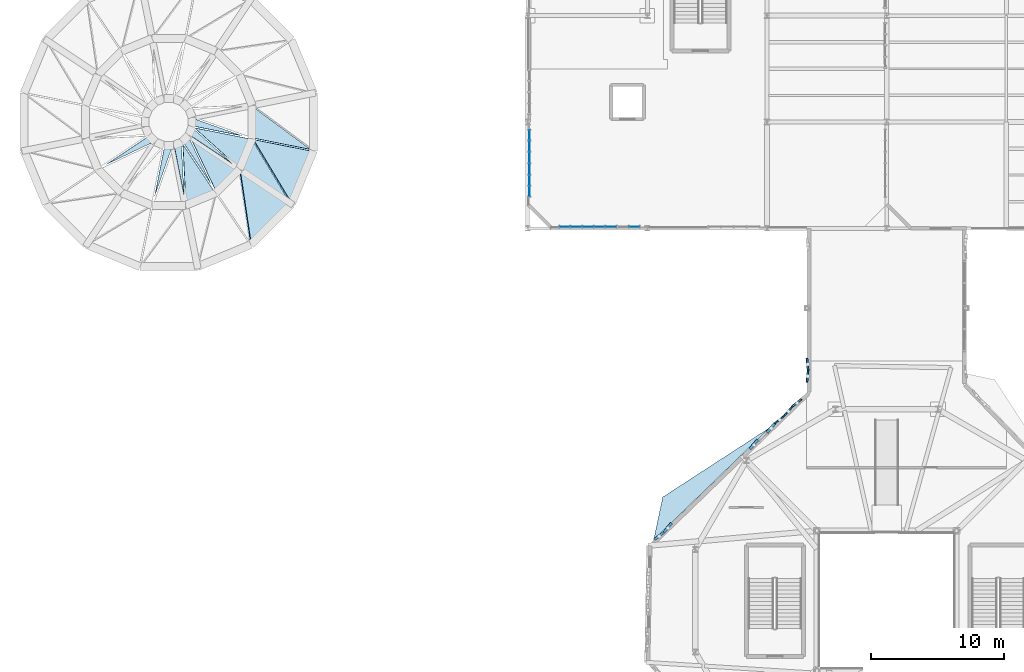
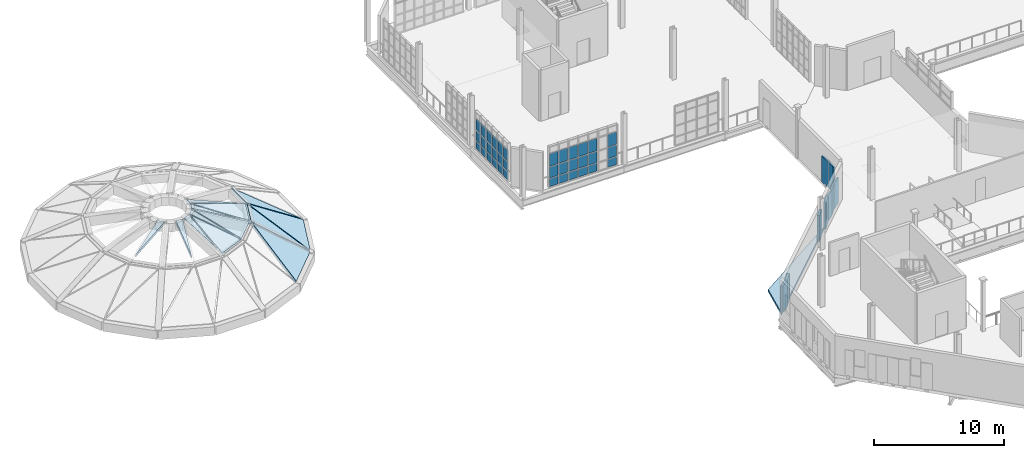
# One storey, part 67 of 85: 45 plates, 14 slabs, 2 elements without a shape of their own.
"""IFC4 building model written with IfcOpenShell, lengths in metres."""

from ifc_helpers import new_model, si_unit, direction, frame, frame_2d, origin, origin_2d, place, context, subcontext, project, spatial, polyline, rectangle, outline, extrude, material, layer, layer_set, type_object, element, aggregate, save


model = new_model("IFC4")

# Units and contexts
model_context = context("Model", 3, precision=1e-05, world=origin(), true_north=direction((0.0, 1.0)))
body_context = subcontext(model_context, "Body", "Model", "MODEL_VIEW")
ifc_project = project(units=[si_unit("LENGTHUNIT", "METRE"), si_unit("AREAUNIT", "SQUARE_METRE"), si_unit("VOLUMEUNIT", "CUBIC_METRE"), si_unit("PLANEANGLEUNIT", "RADIAN"), si_unit("MASSUNIT", "GRAM", prefix="KILO"), si_unit("THERMODYNAMICTEMPERATUREUNIT", "KELVIN"), si_unit("POWERUNIT", "WATT")], contexts=[model_context])

# Site, building, storey
site_placement = place(None, origin())
site = spatial("IfcSite", under=ifc_project, at=site_placement, CompositionType="ELEMENT")
building_placement = place(site_placement, origin())
building = spatial("IfcBuilding", under=site, at=building_placement, Name="Zelmaris Science Centre", CompositionType="ELEMENT")
storey_placement = place(building_placement, frame((0.0, 0.0, 20.39990234375)))
storey = spatial("IfcBuildingStorey", under=building, at=storey_placement, Name="L04", CompositionType="ELEMENT", Elevation=20.39990234375)

# Curtain wall, plates
ifc_material_1 = material(Name="Anodised architectural aluminium 6063-T6", Category="aluminium")
ifc_layer_1 = layer(ifc_material_1, 0.18994140625, Name="Anodised architectural aluminium 6063-T6")
ifc_layer_set_1 = layer_set([ifc_layer_1], Name="Anodised architectural aluminium 6063-T6")
curtain_wall_type = type_object("IfcCurtainWallType", Name="Curtain Wall CW-01", PredefinedType="USERDEFINED", material=ifc_layer_set_1)
curtain_wall_1_placement = place(storey_placement, origin())
curtain_wall_1 = element("IfcCurtainWall", 1, at=curtain_wall_1_placement, inside=storey, type_object=curtain_wall_type, Name="L04 Unitised curtain wall 337", ObjectType="GLAZED CURTAIN WALL", PredefinedType="USERDEFINED")
ifc_material_2 = material(Name="Laminated hurricane-rated low-E insulated glazing", Category="glass")
ifc_layer_2 = layer(ifc_material_2, 0.031982421875, Name="Laminated hurricane-rated low-E insulated glazing")
ifc_layer_set_2 = layer_set([ifc_layer_2], Name="Laminated hurricane-rated low-E insulated glazing")
plate_type_1 = type_object("IfcPlateType", Name="Curtain Glazing Panel CWP-1 32mm", PredefinedType="CURTAIN_PANEL", material=ifc_layer_set_2)
plate_1_placement = place(storey_placement, frame((54.1201171875, 66.78466796875, 0.05712890625), z_axis=(0.0, 0.0, 1.0), x_axis=(0.0, 1.0, 0.0)))
plate_1 = element("IfcPlate", 2, at=plate_1_placement, type_object=plate_type_1, Name="CW-01 panel 1.1", PredefinedType="CURTAIN_PANEL", context=body_context, shape_type="SweptSolid", body=[
    extrude(rectangle(XDim=0.745361328125, YDim=0.031982421875, at=origin_2d()), origin(), (0.0, 0.0, 1.0), 0.741943359375),
])
plate_2_placement = place(storey_placement, frame((54.1201171875, 66.78466796875, 0.87109375), z_axis=(0.0, 0.0, 1.0), x_axis=(0.0, 1.0, 0.0)))
plate_2 = element("IfcPlate", 3, at=plate_2_placement, type_object=plate_type_1, Name="CW-01 panel 1.2", PredefinedType="CURTAIN_PANEL", context=body_context, shape_type="SweptSolid", body=[
    extrude(rectangle(XDim=0.745361328125, YDim=0.031982421875, at=origin_2d()), origin(), (0.0, 0.0, 1.0), 0.886962890625),
])
plate_3_placement = place(storey_placement, frame((54.1201171875, 66.78466796875, 1.830078125), z_axis=(0.0, 0.0, 1.0), x_axis=(0.0, 1.0, 0.0)))
plate_3 = element("IfcPlate", 4, at=plate_3_placement, type_object=plate_type_1, Name="CW-01 panel 1.3", PredefinedType="CURTAIN_PANEL", context=body_context, shape_type="SweptSolid", body=[
    extrude(rectangle(XDim=0.745361328125, YDim=0.031982421875, at=origin_2d()), origin(), (0.0, 0.0, 1.0), 1.037109375),
])
plate_4_placement = place(storey_placement, frame((54.1201171875, 67.6201171875, 0.05712890625), z_axis=(0.0, 0.0, 1.0), x_axis=(0.0, 1.0, 0.0)))
plate_4 = element("IfcPlate", 5, at=plate_4_placement, type_object=plate_type_1, Name="CW-01 panel 2.1", PredefinedType="CURTAIN_PANEL", context=body_context, shape_type="SweptSolid", body=[
    extrude(rectangle(XDim=0.78125, YDim=0.031982421875, at=origin_2d()), origin(), (0.0, 0.0, 1.0), 0.741943359375),
])
plate_5_placement = place(storey_placement, frame((54.1201171875, 67.6201171875, 0.87109375), z_axis=(0.0, 0.0, 1.0), x_axis=(0.0, 1.0, 0.0)))
plate_5 = element("IfcPlate", 6, at=plate_5_placement, type_object=plate_type_1, Name="CW-01 panel 2.2", PredefinedType="CURTAIN_PANEL", context=body_context, shape_type="SweptSolid", body=[
    extrude(rectangle(XDim=0.78125, YDim=0.031982421875, at=origin_2d()), origin(), (0.0, 0.0, 1.0), 0.886962890625),
])
plate_6_placement = place(storey_placement, frame((54.1201171875, 67.6201171875, 1.830078125), z_axis=(0.0, 0.0, 1.0), x_axis=(0.0, 1.0, 0.0)))
plate_6 = element("IfcPlate", 7, at=plate_6_placement, type_object=plate_type_1, Name="CW-01 panel 2.3", PredefinedType="CURTAIN_PANEL", context=body_context, shape_type="SweptSolid", body=[
    extrude(rectangle(XDim=0.78125, YDim=0.031982421875, at=origin_2d()), origin(), (0.0, 0.0, 1.0), 1.037109375),
])
plate_7_placement = place(storey_placement, frame((54.1201171875, 68.473388671875, 0.05712890625), z_axis=(0.0, 0.0, 1.0), x_axis=(0.0, 1.0, 0.0)))
plate_7 = element("IfcPlate", 8, at=plate_7_placement, type_object=plate_type_1, Name="CW-01 panel 3.1", PredefinedType="CURTAIN_PANEL", context=body_context, shape_type="SweptSolid", body=[
    extrude(rectangle(XDim=0.78125, YDim=0.031982421875, at=origin_2d()), origin(), (0.0, 0.0, 1.0), 0.741943359375),
])
plate_8_placement = place(storey_placement, frame((54.1201171875, 68.473388671875, 0.87109375), z_axis=(0.0, 0.0, 1.0), x_axis=(0.0, 1.0, 0.0)))
plate_8 = element("IfcPlate", 9, at=plate_8_placement, type_object=plate_type_1, Name="CW-01 panel 3.2", PredefinedType="CURTAIN_PANEL", context=body_context, shape_type="SweptSolid", body=[
    extrude(rectangle(XDim=0.78125, YDim=0.031982421875, at=origin_2d()), origin(), (0.0, 0.0, 1.0), 0.886962890625),
])
plate_9_placement = place(storey_placement, frame((54.1201171875, 68.473388671875, 1.830078125), z_axis=(0.0, 0.0, 1.0), x_axis=(0.0, 1.0, 0.0)))
plate_9 = element("IfcPlate", 10, at=plate_9_placement, type_object=plate_type_1, Name="CW-01 panel 3.3", PredefinedType="CURTAIN_PANEL", context=body_context, shape_type="SweptSolid", body=[
    extrude(rectangle(XDim=0.78125, YDim=0.031982421875, at=origin_2d()), origin(), (0.0, 0.0, 1.0), 1.037109375),
])
plate_10_placement = place(storey_placement, frame((54.1201171875, 69.32666015625, 0.05712890625), z_axis=(0.0, 0.0, 1.0), x_axis=(0.0, 1.0, 0.0)))
plate_10 = element("IfcPlate", 11, at=plate_10_placement, type_object=plate_type_1, Name="CW-01 panel 4.1", PredefinedType="CURTAIN_PANEL", context=body_context, shape_type="SweptSolid", body=[
    extrude(rectangle(XDim=0.78125, YDim=0.031982421875, at=origin_2d()), origin(), (0.0, 0.0, 1.0), 0.741943359375),
])
plate_11_placement = place(storey_placement, frame((54.1201171875, 69.32666015625, 0.87109375), z_axis=(0.0, 0.0, 1.0), x_axis=(0.0, 1.0, 0.0)))
plate_11 = element("IfcPlate", 12, at=plate_11_placement, type_object=plate_type_1, Name="CW-01 panel 4.2", PredefinedType="CURTAIN_PANEL", context=body_context, shape_type="SweptSolid", body=[
    extrude(rectangle(XDim=0.78125, YDim=0.031982421875, at=origin_2d()), origin(), (0.0, 0.0, 1.0), 0.886962890625),
])
plate_12_placement = place(storey_placement, frame((54.1201171875, 69.32666015625, 1.830078125), z_axis=(0.0, 0.0, 1.0), x_axis=(0.0, 1.0, 0.0)))
plate_12 = element("IfcPlate", 13, at=plate_12_placement, type_object=plate_type_1, Name="CW-01 panel 4.3", PredefinedType="CURTAIN_PANEL", context=body_context, shape_type="SweptSolid", body=[
    extrude(rectangle(XDim=0.78125, YDim=0.031982421875, at=origin_2d()), origin(), (0.0, 0.0, 1.0), 1.037109375),
])
plate_13_placement = place(storey_placement, frame((54.1201171875, 70.179931640625, 0.05712890625), z_axis=(0.0, 0.0, 1.0), x_axis=(0.0, 1.0, 0.0)))
plate_13 = element("IfcPlate", 14, at=plate_13_placement, type_object=plate_type_1, Name="CW-01 panel 5.1", PredefinedType="CURTAIN_PANEL", context=body_context, shape_type="SweptSolid", body=[
    extrude(rectangle(XDim=0.78125, YDim=0.031982421875, at=origin_2d()), origin(), (0.0, 0.0, 1.0), 0.741943359375),
])
plate_14_placement = place(storey_placement, frame((54.1201171875, 70.179931640625, 0.87109375), z_axis=(0.0, 0.0, 1.0), x_axis=(0.0, 1.0, 0.0)))
plate_14 = element("IfcPlate", 15, at=plate_14_placement, type_object=plate_type_1, Name="CW-01 panel 5.2", PredefinedType="CURTAIN_PANEL", context=body_context, shape_type="SweptSolid", body=[
    extrude(rectangle(XDim=0.78125, YDim=0.031982421875, at=origin_2d()), origin(), (0.0, 0.0, 1.0), 0.886962890625),
])
plate_15_placement = place(storey_placement, frame((54.1201171875, 70.179931640625, 1.830078125), z_axis=(0.0, 0.0, 1.0), x_axis=(0.0, 1.0, 0.0)))
plate_15 = element("IfcPlate", 16, at=plate_15_placement, type_object=plate_type_1, Name="CW-01 panel 5.3", PredefinedType="CURTAIN_PANEL", context=body_context, shape_type="SweptSolid", body=[
    extrude(rectangle(XDim=0.78125, YDim=0.031982421875, at=origin_2d()), origin(), (0.0, 0.0, 1.0), 1.037109375),
])
plate_16_placement = place(storey_placement, frame((54.1201171875, 71.015380859375, 0.05712890625), z_axis=(0.0, 0.0, 1.0), x_axis=(0.0, 1.0, 0.0)))
plate_16 = element("IfcPlate", 17, at=plate_16_placement, type_object=plate_type_1, Name="CW-01 panel 6.1", PredefinedType="CURTAIN_PANEL", context=body_context, shape_type="SweptSolid", body=[
    extrude(rectangle(XDim=0.745361328125, YDim=0.031982421875, at=origin_2d()), origin(), (0.0, 0.0, 1.0), 0.741943359375),
])
plate_17_placement = place(storey_placement, frame((54.1201171875, 71.015380859375, 0.87109375), z_axis=(0.0, 0.0, 1.0), x_axis=(0.0, 1.0, 0.0)))
plate_17 = element("IfcPlate", 18, at=plate_17_placement, type_object=plate_type_1, Name="CW-01 panel 6.2", PredefinedType="CURTAIN_PANEL", context=body_context, shape_type="SweptSolid", body=[
    extrude(rectangle(XDim=0.745361328125, YDim=0.031982421875, at=origin_2d()), origin(), (0.0, 0.0, 1.0), 0.886962890625),
])
plate_18_placement = place(storey_placement, frame((54.1201171875, 71.015380859375, 1.830078125), z_axis=(0.0, 0.0, 1.0), x_axis=(0.0, 1.0, 0.0)))
plate_18 = element("IfcPlate", 19, at=plate_18_placement, type_object=plate_type_1, Name="CW-01 panel 6.3", PredefinedType="CURTAIN_PANEL", context=body_context, shape_type="SweptSolid", body=[
    extrude(rectangle(XDim=0.745361328125, YDim=0.031982421875, at=origin_2d()), origin(), (0.0, 0.0, 1.0), 1.037109375),
])
aggregate(curtain_wall_1, [plate_1, plate_2, plate_3, plate_4, plate_5, plate_6, plate_7, plate_8, plate_9, plate_10, plate_11, plate_12, plate_13, plate_14, plate_15, plate_16, plate_17, plate_18])

curtain_wall_2_placement = place(storey_placement, origin())
curtain_wall_2 = element("IfcCurtainWall", 20, at=curtain_wall_2_placement, inside=storey, type_object=curtain_wall_type, Name="L04 Unitised curtain wall 357", ObjectType="GLAZED CURTAIN WALL", PredefinedType="USERDEFINED")
plate_19_placement = place(storey_placement, frame((62.0048828125, 64.1201171875, 0.05712890625), z_axis=(0.0, 0.0, 1.0), x_axis=(-0.999999999867, 1.6339877e-05, 0.0)))
plate_19 = element("IfcPlate", 21, at=plate_19_placement, type_object=plate_type_1, Name="CW-01 panel 1.1", PredefinedType="CURTAIN_PANEL", context=body_context, shape_type="SweptSolid", body=[
    extrude(rectangle(XDim=0.766357421875, YDim=0.031982421875, at=origin_2d()), origin(), (0.0, 0.0, 1.0), 0.741943359375),
])
plate_20_placement = place(storey_placement, frame((62.0048828125, 64.1201171875, 0.87109375), z_axis=(0.0, 0.0, 1.0), x_axis=(-0.999999999867, 1.6339877e-05, 0.0)))
plate_20 = element("IfcPlate", 22, at=plate_20_placement, type_object=plate_type_1, Name="CW-01 panel 1.2", PredefinedType="CURTAIN_PANEL", context=body_context, shape_type="SweptSolid", body=[
    extrude(rectangle(XDim=0.766357421875, YDim=0.031982421875, at=origin_2d()), origin(), (0.0, 0.0, 1.0), 1.029541015625),
])
plate_21_placement = place(storey_placement, frame((62.0048828125, 64.1201171875, 1.97265625), z_axis=(0.0, 0.0, 1.0), x_axis=(-0.999999999867, 1.6339877e-05, 0.0)))
plate_21 = element("IfcPlate", 23, at=plate_21_placement, type_object=plate_type_1, Name="CW-01 panel 1.3", PredefinedType="CURTAIN_PANEL", context=body_context, shape_type="SweptSolid", body=[
    extrude(rectangle(XDim=0.766357421875, YDim=0.031982421875, at=origin_2d()), origin(), (0.0, 0.0, 1.0), 1.179443359375),
])
plate_22_placement = place(storey_placement, frame((60.274169921875, 64.1201171875, 0.05712890625), z_axis=(0.0, 0.0, 1.0), x_axis=(-0.999999999867, 1.6339877e-05, 0.0)))
plate_22 = element("IfcPlate", 24, at=plate_22_placement, type_object=plate_type_1, Name="CW-01 panel 3.1", PredefinedType="CURTAIN_PANEL", context=body_context, shape_type="SweptSolid", body=[
    extrude(rectangle(XDim=0.80224609375, YDim=0.031982421875, at=origin_2d()), origin(), (0.0, 0.0, 1.0), 0.741943359375),
])
plate_23_placement = place(storey_placement, frame((60.274169921875, 64.1201171875, 0.87109375), z_axis=(0.0, 0.0, 1.0), x_axis=(-0.999999999867, 1.6339877e-05, 0.0)))
plate_23 = element("IfcPlate", 25, at=plate_23_placement, type_object=plate_type_1, Name="CW-01 panel 3.2", PredefinedType="CURTAIN_PANEL", context=body_context, shape_type="SweptSolid", body=[
    extrude(rectangle(XDim=0.80224609375, YDim=0.031982421875, at=origin_2d()), origin(), (0.0, 0.0, 1.0), 1.029541015625),
])
plate_24_placement = place(storey_placement, frame((60.274169921875, 64.1201171875, 1.97265625), z_axis=(0.0, 0.0, 1.0), x_axis=(-0.999999999867, 1.6339877e-05, 0.0)))
plate_24 = element("IfcPlate", 26, at=plate_24_placement, type_object=plate_type_1, Name="CW-01 panel 3.3", PredefinedType="CURTAIN_PANEL", context=body_context, shape_type="SweptSolid", body=[
    extrude(rectangle(XDim=0.80224609375, YDim=0.031982421875, at=origin_2d()), origin(), (0.0, 0.0, 1.0), 1.179443359375),
])
plate_25_placement = place(storey_placement, frame((59.39990234375, 64.1201171875, 0.05712890625), z_axis=(0.0, 0.0, 1.0), x_axis=(-0.999999999867, 1.6339877e-05, 0.0)))
plate_25 = element("IfcPlate", 27, at=plate_25_placement, type_object=plate_type_1, Name="CW-01 panel 4.1", PredefinedType="CURTAIN_PANEL", context=body_context, shape_type="SweptSolid", body=[
    extrude(rectangle(XDim=0.80224609375, YDim=0.031982421875, at=origin_2d()), origin(), (0.0, 0.0, 1.0), 0.741943359375),
])
plate_26_placement = place(storey_placement, frame((59.39990234375, 64.1201171875, 0.87109375), z_axis=(0.0, 0.0, 1.0), x_axis=(-0.999999999867, 1.6339877e-05, 0.0)))
plate_26 = element("IfcPlate", 28, at=plate_26_placement, type_object=plate_type_1, Name="CW-01 panel 4.2", PredefinedType="CURTAIN_PANEL", context=body_context, shape_type="SweptSolid", body=[
    extrude(rectangle(XDim=0.80224609375, YDim=0.031982421875, at=origin_2d()), origin(), (0.0, 0.0, 1.0), 1.029541015625),
])
plate_27_placement = place(storey_placement, frame((59.39990234375, 64.1201171875, 1.97265625), z_axis=(0.0, 0.0, 1.0), x_axis=(-0.999999999867, 1.6339877e-05, 0.0)))
plate_27 = element("IfcPlate", 29, at=plate_27_placement, type_object=plate_type_1, Name="CW-01 panel 4.3", PredefinedType="CURTAIN_PANEL", context=body_context, shape_type="SweptSolid", body=[
    extrude(rectangle(XDim=0.80224609375, YDim=0.031982421875, at=origin_2d()), origin(), (0.0, 0.0, 1.0), 1.179443359375),
])
plate_28_placement = place(storey_placement, frame((58.525634765625, 64.1201171875, 0.05712890625), z_axis=(0.0, 0.0, 1.0), x_axis=(-0.999999999867, 1.6339877e-05, 0.0)))
plate_28 = element("IfcPlate", 30, at=plate_28_placement, type_object=plate_type_1, Name="CW-01 panel 5.1", PredefinedType="CURTAIN_PANEL", context=body_context, shape_type="SweptSolid", body=[
    extrude(rectangle(XDim=0.80224609375, YDim=0.031982421875, at=origin_2d()), origin(), (0.0, 0.0, 1.0), 0.741943359375),
])
plate_29_placement = place(storey_placement, frame((58.525634765625, 64.1201171875, 0.87109375), z_axis=(0.0, 0.0, 1.0), x_axis=(-0.999999999867, 1.6339877e-05, 0.0)))
plate_29 = element("IfcPlate", 31, at=plate_29_placement, type_object=plate_type_1, Name="CW-01 panel 5.2", PredefinedType="CURTAIN_PANEL", context=body_context, shape_type="SweptSolid", body=[
    extrude(rectangle(XDim=0.80224609375, YDim=0.031982421875, at=origin_2d()), origin(), (0.0, 0.0, 1.0), 1.029541015625),
])
plate_30_placement = place(storey_placement, frame((58.525634765625, 64.1201171875, 1.97265625), z_axis=(0.0, 0.0, 1.0), x_axis=(-0.999999999867, 1.6339877e-05, 0.0)))
plate_30 = element("IfcPlate", 32, at=plate_30_placement, type_object=plate_type_1, Name="CW-01 panel 5.3", PredefinedType="CURTAIN_PANEL", context=body_context, shape_type="SweptSolid", body=[
    extrude(rectangle(XDim=0.80224609375, YDim=0.031982421875, at=origin_2d()), origin(), (0.0, 0.0, 1.0), 1.179443359375),
])
plate_31_placement = place(storey_placement, frame((57.6513671875, 64.1201171875, 0.05712890625), z_axis=(0.0, 0.0, 1.0), x_axis=(-0.999999999867, 1.6339877e-05, 0.0)))
plate_31 = element("IfcPlate", 33, at=plate_31_placement, type_object=plate_type_1, Name="CW-01 panel 6.1", PredefinedType="CURTAIN_PANEL", context=body_context, shape_type="SweptSolid", body=[
    extrude(rectangle(XDim=0.80224609375, YDim=0.031982421875, at=origin_2d()), origin(), (0.0, 0.0, 1.0), 0.741943359375),
])
plate_32_placement = place(storey_placement, frame((57.6513671875, 64.1201171875, 0.87109375), z_axis=(0.0, 0.0, 1.0), x_axis=(-0.999999999867, 1.6339877e-05, 0.0)))
plate_32 = element("IfcPlate", 34, at=plate_32_placement, type_object=plate_type_1, Name="CW-01 panel 6.2", PredefinedType="CURTAIN_PANEL", context=body_context, shape_type="SweptSolid", body=[
    extrude(rectangle(XDim=0.80224609375, YDim=0.031982421875, at=origin_2d()), origin(), (0.0, 0.0, 1.0), 1.029541015625),
])
plate_33_placement = place(storey_placement, frame((57.6513671875, 64.1201171875, 1.97265625), z_axis=(0.0, 0.0, 1.0), x_axis=(-0.999999999867, 1.6339877e-05, 0.0)))
plate_33 = element("IfcPlate", 35, at=plate_33_placement, type_object=plate_type_1, Name="CW-01 panel 6.3", PredefinedType="CURTAIN_PANEL", context=body_context, shape_type="SweptSolid", body=[
    extrude(rectangle(XDim=0.80224609375, YDim=0.031982421875, at=origin_2d()), origin(), (0.0, 0.0, 1.0), 1.179443359375),
])
plate_34_placement = place(storey_placement, frame((56.795166015625, 64.1201171875, 0.05712890625), z_axis=(0.0, 0.0, 1.0), x_axis=(-0.999999999867, 1.6339877e-05, 0.0)))
plate_34 = element("IfcPlate", 36, at=plate_34_placement, type_object=plate_type_1, Name="CW-01 panel 7.1", PredefinedType="CURTAIN_PANEL", context=body_context, shape_type="SweptSolid", body=[
    extrude(rectangle(XDim=0.766357421875, YDim=0.031982421875, at=origin_2d()), origin(), (0.0, 0.0, 1.0), 0.741943359375),
])
plate_35_placement = place(storey_placement, frame((56.795166015625, 64.1201171875, 0.87109375), z_axis=(0.0, 0.0, 1.0), x_axis=(-0.999999999867, 1.6339877e-05, 0.0)))
plate_35 = element("IfcPlate", 37, at=plate_35_placement, type_object=plate_type_1, Name="CW-01 panel 7.2", PredefinedType="CURTAIN_PANEL", context=body_context, shape_type="SweptSolid", body=[
    extrude(rectangle(XDim=0.766357421875, YDim=0.031982421875, at=origin_2d()), origin(), (0.0, 0.0, 1.0), 1.029541015625),
])
plate_36_placement = place(storey_placement, frame((56.795166015625, 64.1201171875, 1.97265625), z_axis=(0.0, 0.0, 1.0), x_axis=(-0.999999999867, 1.6339877e-05, 0.0)))
plate_36 = element("IfcPlate", 38, at=plate_36_placement, type_object=plate_type_1, Name="CW-01 panel 7.3", PredefinedType="CURTAIN_PANEL", context=body_context, shape_type="SweptSolid", body=[
    extrude(rectangle(XDim=0.766357421875, YDim=0.031982421875, at=origin_2d()), origin(), (0.0, 0.0, 1.0), 1.179443359375),
])
aggregate(curtain_wall_2, [plate_19, plate_20, plate_21, plate_22, plate_23, plate_24, plate_25, plate_26, plate_27, plate_28, plate_29, plate_30, plate_31, plate_32, plate_33, plate_34, plate_35, plate_36])

# Slabs
ifc_material_3 = material(Name="Concrete C40/50", Category="concrete")
ifc_layer_3 = layer(ifc_material_3, 0.25, Name="Concrete C40/50")
ifc_layer_set_3 = layer_set([ifc_layer_3], Name="Concrete C40/50")
slab_type_1 = type_object("IfcSlabType", Name="Dome Shell SL-DM250 250mm", PredefinedType="ROOF", material=ifc_layer_set_3)
slab_1_placement = place(storey_placement, frame((33.19970703125, 62.887451171875, 0.033447265625), z_axis=(0.347365981372, -0.347394808424, 0.871007303107), x_axis=(0.707136119891, 0.707077441265, 0.0)))
element("IfcSlab", 39, at=slab_1_placement, inside=storey, type_object=slab_type_1, Name="Dome shell facet B2-14A", PredefinedType="ROOF", context=body_context, shape_type="SweptSolid", body=[
    extrude(outline(polyline([(0.0, 0.0), (4.160639782237949, 2.220446049250313e-16), (3.279507325528205, 5.084378036193674), (0.0, 0.0)])), origin(), (0.0, 0.0, -1.0), 0.25),
])
slab_2_placement = place(storey_placement, frame((36.215087890625, 65.95361328125, 0.033447265625), z_axis=(0.453878479431, -0.188008602277, 0.871003496766), x_axis=(0.382693822845, 0.923875228565, 0.0)))
element("IfcSlab", 40, at=slab_2_placement, inside=storey, type_object=slab_type_1, Name="Dome shell facet B2-15A", PredefinedType="ROOF", context=body_context, shape_type="SweptSolid", body=[
    extrude(outline(polyline([(0.0, 0.0), (4.1607286587776215, 0.0), (3.2797859273493497, 5.0843081941739765), (0.0, 0.0)])), origin(), (0.0, 0.0, -1.0), 0.25),
])
slab_3_placement = place(storey_placement, frame((36.070068359375, 66.001953125, 0.119384765625), z_axis=(0.453886605943, -0.188005200843, 0.870999996212), x_axis=(-0.468768317728, 0.780909864035, 0.412839010447)))
element("IfcSlab", 41, at=slab_3_placement, inside=storey, type_object=slab_type_1, Name="Dome shell facet B2-15B", PredefinedType="ROOF", context=body_context, shape_type="SweptSolid", body=[
    extrude(outline(polyline([(0.0, 0.0), (5.927893350848097, 5.551115123125783e-16), (4.653852860560871, 1.9750156372280525), (0.0, 0.0)])), origin(), (0.0, 0.0, -1.0), 0.25),
])
slab_4_placement = place(storey_placement, frame((37.675048828125, 69.929443359375, 0.119384765625), z_axis=(0.491275427367, 0.0, 0.871004279246), x_axis=(-0.731932896296, 0.542071842283, 0.4128345348)))
element("IfcSlab", 42, at=slab_4_placement, inside=storey, type_object=slab_type_1, Name="Dome shell facet B2-16B", PredefinedType="ROOF", context=body_context, shape_type="SweptSolid", body=[
    extrude(outline(polyline([(0.0, 0.0), (5.927957616684118, -1.1102230246251565e-16), (4.653903508857946, 1.9750677690825853), (0.0, 0.0)])), origin(), (0.0, 0.0, -1.0), 0.25),
])
slab_5_placement = place(storey_placement, frame((22.30419921875, 68.7998046875, 2.75390625), z_axis=(-0.153020625273, -0.153020625273, 0.976303936529), x_axis=(0.883677079455, 0.421064503208, 0.204498174523)))
element("IfcSlab", 43, at=slab_5_placement, inside=storey, type_object=slab_type_1, Name="Dome shell facet B3-10B", PredefinedType="ROOF", context=body_context, shape_type="SweptSolid", body=[
    extrude(outline(polyline([(0.0, 0.0), (4.066261083703307, -4.787836793695988e-16), (3.875275276468513, 0.5517255838991257), (0.0, 0.0)])), origin(), (0.0, 0.0, -1.0), 0.25),
])
slab_6_placement = place(storey_placement, frame((25.9423828125, 66.416748046875, 2.75390625), z_axis=(0.0, -0.21640568884, 0.976303527515), x_axis=(0.327158776371, 0.922576942138, 0.204496750288)))
element("IfcSlab", 44, at=slab_6_placement, inside=storey, type_object=slab_type_1, Name="Dome shell facet B3-12B", PredefinedType="ROOF", context=body_context, shape_type="SweptSolid", body=[
    extrude(outline(polyline([(0.0, 0.0), (4.066289403521029, -8.326672684688674e-17), (3.8752337899764333, 0.5518473545983875), (0.0, 0.0)])), origin(), (0.0, 0.0, -1.0), 0.25),
])
slab_7_placement = place(storey_placement, frame((28.2958984375, 65.814453125, 2.61474609375), z_axis=(0.082822866258, -0.199947472894, 0.976299841703), x_axis=(0.923876410255, 0.382690970072, 0.0)))
element("IfcSlab", 45, at=slab_7_placement, inside=storey, type_object=slab_type_1, Name="Dome shell facet B3-13A", PredefinedType="ROOF", context=body_context, shape_type="SweptSolid", body=[
    extrude(outline(polyline([(0.0, 0.0), (2.352149788655691, -1.1102230246251565e-16), (1.5067904270339434, 4.353241786643171), (0.0, 0.0)])), origin(), (0.0, 0.0, -1.0), 0.25),
])
slab_8_placement = place(storey_placement, frame((28.159423828125, 66.43701171875, 2.75390625), z_axis=(0.082864801212, -0.199924902488, 0.976300905503), x_axis=(-0.050792714095, 0.977549610978, 0.204491707099)))
element("IfcSlab", 46, at=slab_8_placement, inside=storey, type_object=slab_type_1, Name="Dome shell facet B3-13B", PredefinedType="ROOF", context=body_context, shape_type="SweptSolid", body=[
    extrude(outline(polyline([(0.0, 0.0), (4.066389686631358, 2.0816681711721685e-17), (3.8751827663416556, 0.5518755240155819), (0.0, 0.0)])), origin(), (0.0, 0.0, -1.0), 0.25),
])
slab_9_placement = place(storey_placement, frame((30.564208984375, 66.781005859375, 2.61474609375), z_axis=(0.153027946178, -0.153027946178, 0.976301641593), x_axis=(0.707106781187, 0.707106781187, 0.0)))
element("IfcSlab", 47, at=slab_9_placement, inside=storey, type_object=slab_type_1, Name="Dome shell facet B3-14A", PredefinedType="ROOF", context=body_context, shape_type="SweptSolid", body=[
    extrude(outline(polyline([(0.0, 0.0), (2.3526492221704762, 0.0), (1.50709038080043, 4.353405115462899), (0.0, 0.0)])), origin(), (0.0, 0.0, -1.0), 0.25),
])
slab_10_placement = place(storey_placement, frame((30.2001953125, 67.30419921875, 2.75390625), z_axis=(0.153020625273, -0.153020625273, 0.976303936529), x_axis=(-0.421064503208, 0.883677079455, 0.204498174523)))
element("IfcSlab", 48, at=slab_10_placement, inside=storey, type_object=slab_type_1, Name="Dome shell facet B3-14B", PredefinedType="ROOF", context=body_context, shape_type="SweptSolid", body=[
    extrude(outline(polyline([(0.0, 0.0), (4.066261083703307, -4.787836793695988e-16), (3.875275276468513, 0.5517255838991257), (0.0, 0.0)])), origin(), (0.0, 0.0, -1.0), 0.25),
])
slab_11_placement = place(storey_placement, frame((32.2900390625, 68.54248046875, 2.61474609375), z_axis=(0.199955464354, -0.082816872284, 0.976298713479), x_axis=(0.38265427573, 0.923891609046, 0.0)))
element("IfcSlab", 49, at=slab_11_placement, inside=storey, type_object=slab_type_1, Name="Dome shell facet B3-15A", PredefinedType="ROOF", context=body_context, shape_type="SweptSolid", body=[
    extrude(outline(polyline([(0.0, 0.0), (2.3523753462753234, -1.1102230246251565e-16), (1.5069815764027716, 4.3531394169034385), (0.0, 0.0)])), origin(), (0.0, 0.0, -1.0), 0.25),
])
slab_12_placement = place(storey_placement, frame((31.75341796875, 68.88623046875, 2.75390625), z_axis=(0.199960290579, -0.082788989086, 0.976300089869), x_axis=(-0.727164394071, 0.655294541895, 0.204501851722)))
element("IfcSlab", 50, at=slab_12_placement, inside=storey, type_object=slab_type_1, Name="Dome shell facet B3-15B", PredefinedType="ROOF", context=body_context, shape_type="SweptSolid", body=[
    extrude(outline(polyline([(0.0, 0.0), (4.066187967237092, -2.0816681711721685e-16), (3.875063573435053, 0.5518052286480843), (0.0, 0.0)])), origin(), (0.0, 0.0, -1.0), 0.25),
])
slab_13_placement = place(storey_placement, frame((32.583251953125, 70.9423828125, 2.75390625), z_axis=(0.21640568884, 0.0, 0.976303527515), x_axis=(-0.922576942138, 0.327158776371, 0.204496750288)))
element("IfcSlab", 51, at=slab_13_placement, inside=storey, type_object=slab_type_1, Name="Dome shell facet B3-16B", PredefinedType="ROOF", context=body_context, shape_type="SweptSolid", body=[
    extrude(outline(polyline([(0.0, 0.0), (4.066289403521029, -8.326672684688674e-17), (3.8752337899764333, 0.5518473545983875), (0.0, 0.0)])), origin(), (0.0, 0.0, -1.0), 0.25),
])

# Plates
ifc_material_4 = material(Name="Precast concrete C40/50", Category="concrete")
ifc_layer_4 = layer(ifc_material_4, 0.110107421875, Name="Precast concrete C40/50")
ifc_layer_set_4 = layer_set([ifc_layer_4], Name="Precast concrete C40/50")
plate_type_2 = type_object("IfcPlateType", Name="Precast Facet Panel FP-01 110mm", PredefinedType="SHEET", material=ifc_layer_set_4)
plate_37_placement = place(storey_placement, frame((72.586181640625, 49.3349609375, 0.02001953125), z_axis=(0.0, 0.0, 1.0), x_axis=(0.785793684668, 0.618488710597, 0.0)))
element("IfcPlate", 52, at=plate_37_placement, inside=storey, type_object=plate_type_2, Name="L04 Folded precast facet panel 216", PredefinedType="SHEET", context=body_context, shape_type="SweptSolid", body=[
    extrude(rectangle(XDim=0.90478515625, YDim=0.110107421875, at=frame_2d((0.452392578125, 0.0))), origin(), (0.0, 0.0, 1.0), 2.4599609375),
])
ifc_layer_5 = layer(ifc_material_4, 0.1201171875, Name="Precast concrete C40/50")
ifc_layer_set_5 = layer_set([ifc_layer_5], Name="Precast concrete C40/50")
plate_type_3 = type_object("IfcPlateType", Name="Precast Facet Panel FP-02 120mm", PredefinedType="SHEET", material=ifc_layer_set_5)
plate_38_placement = place(storey_placement, frame((73.297119140625, 49.89453125, 0.02001953125), z_axis=(0.0, 0.0, 1.0), x_axis=(0.64508277692, 0.764112695171, 0.0)))
element("IfcPlate", 53, at=plate_38_placement, inside=storey, type_object=plate_type_3, Name="L04 Folded precast facet panel 217", PredefinedType="SHEET", context=body_context, shape_type="SweptSolid", body=[
    extrude(rectangle(XDim=0.904541015625, YDim=0.1201171875, at=frame_2d((0.4521484375, 0.0))), origin(), (0.0, 0.0, 1.0), 2.4599609375),
])
ifc_layer_6 = layer(ifc_material_4, 0.1298828125, Name="Precast concrete C40/50")
ifc_layer_set_6 = layer_set([ifc_layer_6], Name="Precast concrete C40/50")
plate_type_4 = type_object("IfcPlateType", Name="Precast Facet Panel FP-03 130mm", PredefinedType="SHEET", material=ifc_layer_set_6)
plate_39_placement = place(storey_placement, frame((73.880615234375, 50.585693359375, 0.02001953125), z_axis=(0.0, 0.0, 1.0), x_axis=(0.785793684668, 0.618488710597, 0.0)))
element("IfcPlate", 54, at=plate_39_placement, inside=storey, type_object=plate_type_4, Name="L04 Folded precast facet panel 218", PredefinedType="SHEET", context=body_context, shape_type="SweptSolid", body=[
    extrude(rectangle(XDim=0.90478515625, YDim=0.1298828125, at=frame_2d((0.452392578125, 0.0))), origin(), (0.0, 0.0, 1.0), 2.4599609375),
])
ifc_layer_7 = layer(ifc_material_4, 0.139892578125, Name="Precast concrete C40/50")
ifc_layer_set_7 = layer_set([ifc_layer_7], Name="Precast concrete C40/50")
plate_type_5 = type_object("IfcPlateType", Name="Precast Facet Panel FP-04 140mm", PredefinedType="SHEET", material=ifc_layer_set_7)
plate_40_placement = place(storey_placement, frame((75.00341796875, 52.423828125, 0.02001953125), z_axis=(0.0, 0.0, 1.0), x_axis=(0.10065250136, 0.994921642126, 0.0)))
element("IfcPlate", 55, at=plate_40_placement, inside=storey, type_object=plate_type_5, Name="L04 Folded precast facet panel 219", PredefinedType="SHEET", context=body_context, shape_type="SweptSolid", body=[
    extrude(rectangle(XDim=0.90478515625, YDim=0.139892578125, at=frame_2d((0.452392578125, 0.0))), origin(), (0.0, 0.0, 1.0), 2.4599609375),
])
ifc_layer_8 = layer(ifc_material_4, 0.14990234375, Name="Precast concrete C40/50")
ifc_layer_set_8 = layer_set([ifc_layer_8], Name="Precast concrete C40/50")
plate_type_6 = type_object("IfcPlateType", Name="Precast Facet Panel FP-05 150mm", PredefinedType="SHEET", material=ifc_layer_set_8)
plate_41_placement = place(storey_placement, frame((75.094482421875, 53.323974609375, 0.02001953125), z_axis=(0.0, 0.0, 1.0), x_axis=(-0.101748085751, 0.994810196493, 0.0)))
element("IfcPlate", 56, at=plate_41_placement, inside=storey, type_object=plate_type_6, Name="L04 Folded precast facet panel 220", PredefinedType="SHEET", context=body_context, shape_type="SweptSolid", body=[
    extrude(rectangle(XDim=0.904541015625, YDim=0.14990234375, at=frame_2d((0.4521484375, 0.0))), origin(), (0.0, 0.0, 1.0), 2.4599609375),
])
ifc_layer_9 = layer(ifc_material_4, 0.18994140625, Name="Precast concrete C40/50")
ifc_layer_set_9 = layer_set([ifc_layer_9], Name="Precast concrete C40/50")
plate_type_7 = type_object("IfcPlateType", Name="Precast Facet Panel FP-09 190mm", PredefinedType="SHEET", material=ifc_layer_set_9)
plate_42_placement = place(storey_placement, frame((63.52490234375, 40.57958984375, 0.02001953125), z_axis=(0.0, 0.0, 1.0), x_axis=(0.785793684668, 0.618488710597, 0.0)))
element("IfcPlate", 57, at=plate_42_placement, inside=storey, type_object=plate_type_7, Name="L04 Folded precast facet panel 212", PredefinedType="SHEET", context=body_context, shape_type="SweptSolid", body=[
    extrude(rectangle(XDim=0.90478515625, YDim=0.18994140625, at=frame_2d((0.452392578125, 0.0))), origin(), (0.0, 0.0, 1.0), 2.4599609375),
])
ifc_layer_10 = layer(ifc_material_4, 0.199951171875, Name="Precast concrete C40/50")
ifc_layer_set_10 = layer_set([ifc_layer_10], Name="Precast concrete C40/50")
plate_type_8 = type_object("IfcPlateType", Name="Precast Facet Panel FP-10 200mm", PredefinedType="SHEET", material=ifc_layer_set_10)
plate_43_placement = place(storey_placement, frame((64.23583984375, 41.13916015625, 0.02001953125), z_axis=(0.0, 0.0, 1.0), x_axis=(0.644949752077, 0.764224978194, 0.0)))
element("IfcPlate", 58, at=plate_43_placement, inside=storey, type_object=plate_type_8, Name="L04 Folded precast facet panel 213", PredefinedType="SHEET", context=body_context, shape_type="SweptSolid", body=[
    extrude(rectangle(XDim=0.90478515625, YDim=0.199951171875, at=frame_2d((0.452392578125, 0.0))), origin(), (0.0, 0.0, 1.0), 2.4599609375),
])
ifc_layer_11 = layer(ifc_material_4, 0.2099609375, Name="Precast concrete C40/50")
ifc_layer_set_11 = layer_set([ifc_layer_11], Name="Precast concrete C40/50")
plate_type_9 = type_object("IfcPlateType", Name="Precast Facet Panel FP-11 210mm", PredefinedType="SHEET", material=ifc_layer_set_11)
plate_44_placement = place(storey_placement, frame((70.7080078125, 47.39306640625, 0.02001953125), z_axis=(0.0, 0.0, 1.0), x_axis=(0.645240327118, 0.763979659586, 0.0)))
element("IfcPlate", 59, at=plate_44_placement, inside=storey, type_object=plate_type_9, Name="L04 Folded precast facet panel 214", PredefinedType="SHEET", context=body_context, shape_type="SweptSolid", body=[
    extrude(rectangle(XDim=0.90478515625, YDim=0.2099609375, at=frame_2d((0.452392578125, 0.0))), origin(), (0.0, 0.0, 1.0), 2.4599609375),
])
ifc_layer_12 = layer(ifc_material_4, 0.219970703125, Name="Precast concrete C40/50")
ifc_layer_set_12 = layer_set([ifc_layer_12], Name="Precast concrete C40/50")
plate_type_10 = type_object("IfcPlateType", Name="Precast Facet Panel FP-12 220mm", PredefinedType="SHEET", material=ifc_layer_set_12)
plate_45_placement = place(storey_placement, frame((72.002685546875, 48.643798828125, 0.02001953125), z_axis=(0.0, 0.0, 1.0), x_axis=(0.64508277692, 0.764112695171, 0.0)))
element("IfcPlate", 60, at=plate_45_placement, inside=storey, type_object=plate_type_10, Name="L04 Folded precast facet panel 215", PredefinedType="SHEET", context=body_context, shape_type="SweptSolid", body=[
    extrude(rectangle(XDim=0.904541015625, YDim=0.219970703125, at=frame_2d((0.4521484375, 0.0))), origin(), (0.0, 0.0, 1.0), 2.4599609375),
])

# Slab
ifc_material_5 = material(Name="Concrete C35/45", Category="concrete")
ifc_layer_13 = layer(ifc_material_5, 0.219970703125, Name="Concrete C35/45")
ifc_layer_set_13 = layer_set([ifc_layer_13], Name="Concrete C35/45")
slab_type_2 = type_object("IfcSlabType", Name="Slab SL-RF220 220mm", PredefinedType="ROOF", material=ifc_layer_set_13)
slab_14_placement = place(storey_placement, frame((0.0, 0.0, -0.219970703125)))
element("IfcSlab", 61, at=slab_14_placement, inside=storey, type_object=slab_type_2, Name="L04 Exhibition setback cornice roof 1", PredefinedType="ROOF", context=body_context, shape_type="SweptSolid", body=[
    extrude(outline(polyline([(72.247802734375, 49.04248046875), (63.473876953125, 40.569580078125), (64.158203125, 43.7890625), (72.247802734375, 49.04248046875)])), origin(), (0.0, 0.0, 1.0), 0.219970703125),
])

save(model, "model.ifc")
